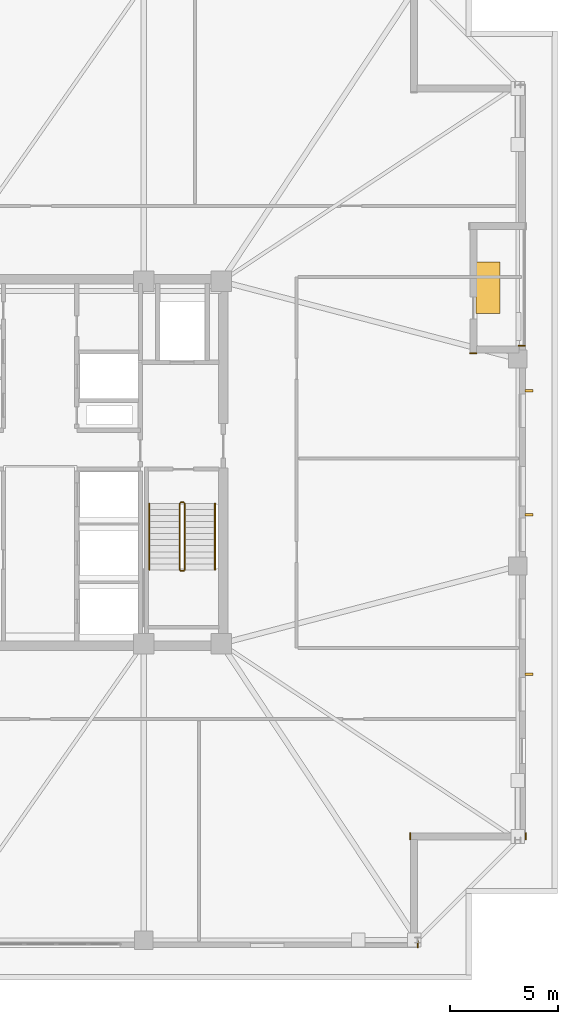
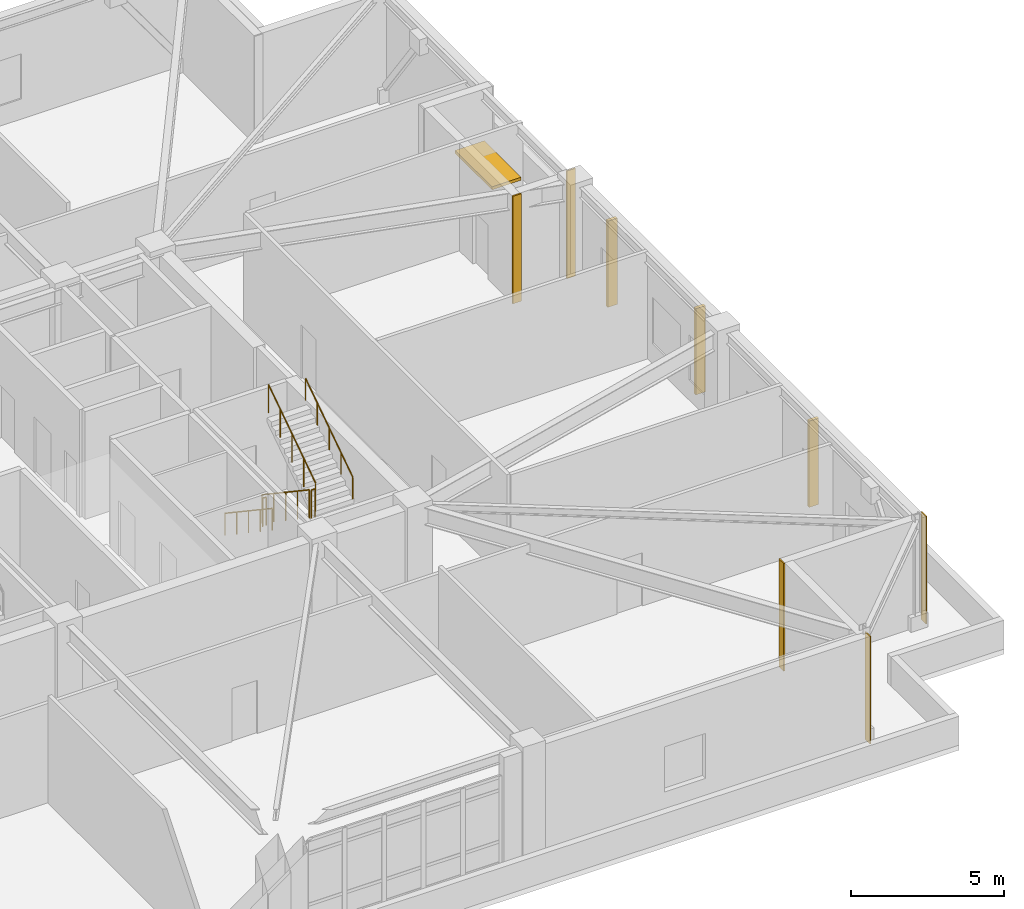
# One storey, part 15 of 18: 6 railings, 5 coverings, 4 shading devices.
"""IFC4 building model written with IfcOpenShell, lengths in metres."""

from ifc_helpers import new_model, si_unit, direction, frame, frame_2d, origin, origin_2d, place, context, subcontext, project, spatial, rectangle, circle, extrude, material, layer, layer_set, type_object, element, save


model = new_model("IFC4")

# Units and contexts
model_context = context("Model", 3, precision=1e-05, world=origin(), true_north=direction((0.0, 1.0)))
body_context = subcontext(model_context, "Body", "Model", "MODEL_VIEW")
ifc_project = project(units=[si_unit("LENGTHUNIT", "METRE"), si_unit("AREAUNIT", "SQUARE_METRE"), si_unit("VOLUMEUNIT", "CUBIC_METRE"), si_unit("PLANEANGLEUNIT", "RADIAN"), si_unit("MASSUNIT", "GRAM", prefix="KILO")], contexts=[model_context])

# Site, building, storey
site_placement = place(None, origin())
site = spatial("IfcSite", under=ifc_project, at=site_placement, CompositionType="ELEMENT")
building_placement = place(site_placement, origin())
building = spatial("IfcBuilding", under=site, at=building_placement, Name="Cairnveth Concourse Tower", CompositionType="ELEMENT")
storey_placement = place(building_placement, frame((0.0, 0.0, 198.0)))
storey = spatial("IfcBuildingStorey", under=building, at=storey_placement, Name="L54", CompositionType="ELEMENT", Elevation=198.0)

# Coverings
ifc_material_1 = material(Name="Dressed Melbourne Bluestone Cladding", Category="masonry")
ifc_layer = layer(ifc_material_1, 0.050048828125)
ifc_layer_set = layer_set([ifc_layer], Name="Dressed Melbourne Bluestone Cladding")
covering_type = type_object("IfcCoveringType", Name="DRESSED BLUESTONE PLINTH CLADDING 50", PredefinedType="CLADDING", material=ifc_layer_set)
for number, where, z_axis, x_axis, name in (
    (1, (74.179931640625, 44.419921875, 0.0), (0.0, 0.0, 1.0), (1.0, 0.0, 0.0), "Melbourne Bluestone Corner Quoin L54-799"),
    (2, (74.52001953125, 21.820068359375, 0.0), (0.0, 0.0, 1.0), (0.0, -1.0, 0.0), "Melbourne Bluestone Corner Quoin L54-800"),
    (3, (69.159912109375, 21.820068359375, 0.0), (0.0, 0.0, 1.0), (0.0, -1.0, 0.0), "Melbourne Bluestone Corner Quoin L54-801"),
    (4, (69.52001953125, 16.820068359375, 0.0), (0.0, 0.0, 1.0), (0.0, -1.0, 0.0), "Melbourne Bluestone Corner Quoin L54-802"),
    (5, (71.929931640625, 44.06005859375, 0.0), (0.0, 0.0, 1.0), (1.0, 0.0, 0.0), "Melbourne Bluestone Corner Quoin L54-814"),
):
    element("IfcCovering", number, at=place(storey_placement, frame(where, z_axis=z_axis, x_axis=x_axis)), inside=storey, type_object=covering_type, Name=name, PredefinedType="CLADDING", context=body_context, shape_type="SweptSolid", body=[
        extrude(rectangle(XDim=0.320068359375, YDim=0.050048828125, at=frame_2d((0.16015625, 0.0))), origin(), (0.0, 0.0, 1.0), 4.2900390625),
    ])

# Shading devices
ifc_material_2 = material(Name="Architectural Bronze Anodised Aluminium 6063-T6", Category="aluminium")
shading_device_type_1 = type_object("IfcShadingDeviceType", Name="GOTHIC BRONZE VERTICAL LANCET FIN", PredefinedType="USERDEFINED", material=ifc_material_2)
for number, where, z_axis, x_axis, name in (
    (6, (74.675048828125, 42.334716796875, 0.030029296875), (0.0, 0.0, 1.0), (0.0, 1.0, 0.0), "Gothic Bronze Vertical Fin L54-0-1"),
    (7, (74.675048828125, 36.583984375, 0.030029296875), (0.0, 0.0, 1.0), (0.0, 1.0, 0.0), "Gothic Bronze Vertical Fin L54-0-3"),
    (8, (74.675048828125, 29.18310546875, 0.030029296875), (0.0, 0.0, 1.0), (0.0, 1.0, 0.0), "Gothic Bronze Vertical Fin L54-0-5"),
):
    element("IfcShadingDevice", number, at=place(storey_placement, frame(where, z_axis=z_axis, x_axis=x_axis)), inside=storey, type_object=shading_device_type_1, Name=name, ObjectType="VERTICAL FIN", PredefinedType="USERDEFINED", context=body_context, shape_type="SweptSolid", body=[
        extrude(rectangle(XDim=0.1201171875, YDim=0.360107421875, at=origin_2d()), origin(), (0.0, 0.0, 1.0), 3.43798828125),
    ])
shading_device_type_2 = type_object("IfcShadingDeviceType", Name="SPIRAL TERRACE SUNSHADE CANOPY", PredefinedType="USERDEFINED", material=ifc_material_2)
shading_device_placement = place(storey_placement, frame((72.77001953125, 47.10009765625, 3.31787109375), z_axis=(0.0, 0.0, 1.0), x_axis=(1.0, 0.0, 0.0)))
element("IfcShadingDevice", 9, at=shading_device_placement, inside=storey, type_object=shading_device_type_2, Name="Spiral Terrace Sunshade L54", ObjectType="TERRACE SUNSHADE", PredefinedType="USERDEFINED", context=body_context, shape_type="SweptSolid", body=[
    extrude(rectangle(XDim=1.10009765625, YDim=2.39990234375, at=origin_2d()), origin(), (0.0, 0.0, 1.0), 0.1201171875),
])

# Railings
ifc_material_3 = material(Name="Steel Grade 350", Category="steel")
railing_type_1 = type_object("IfcRailingType", Name="STAIR GUARDRAIL 1150", PredefinedType="GUARDRAIL", material=ifc_material_3)
railing_1_placement = place(storey_placement, frame((58.469970703125, 37.10009765625, 0.1875)))
element("IfcRailing", 10, at=railing_1_placement, inside=storey, type_object=railing_type_1, Name="L54 ST-2 stair guard 1", PredefinedType="GUARDRAIL", context=body_context, shape_type="SweptSolid", body=[
    extrude(circle(Radius=0.02392578125, at=origin_2d()), frame((0.0, 0.0, 1.1259765625), z_axis=(0.0, -0.830913701846, 0.55640131208), x_axis=(1.0, 0.0, 0.0)), (0.0, 0.0, 1.0), 3.706787109375),
    extrude(circle(Radius=0.02099609375, at=origin_2d()), origin(), (0.0, 0.0, 1.0), 1.101806640625),
    extrude(circle(Radius=0.02099609375, at=origin_2d()), frame((0.0, -0.77001953125, 0.515625)), (0.0, 0.0, 1.0), 1.101806640625),
    extrude(circle(Radius=0.02099609375, at=origin_2d()), frame((0.0, -1.5400390625, 1.03125)), (0.0, 0.0, 1.0), 1.101806640625),
    extrude(circle(Radius=0.02099609375, at=origin_2d()), frame((0.0, -2.31005859375, 1.546875)), (0.0, 0.0, 1.0), 1.101806640625),
    extrude(circle(Radius=0.02099609375, at=origin_2d()), frame((0.0, -3.080078125, 2.0625)), (0.0, 0.0, 1.0), 1.101806640625),
])
railing_2_placement = place(storey_placement, frame((58.52001953125, 33.969970703125, 2.25)))
element("IfcRailing", 11, at=railing_2_placement, inside=storey, type_object=railing_type_1, Name="L54 ST-2 stair guard 2", PredefinedType="GUARDRAIL", context=body_context, shape_type="SweptSolid", body=[
    extrude(circle(Radius=0.02392578125, at=origin_2d()), frame((0.0, 0.0, 1.1259765625), z_axis=(1.0, 0.0, 0.0), x_axis=(0.0, 1.0, 0.0)), (0.0, 0.0, 1.0), 0.139892578125),
    extrude(circle(Radius=0.02099609375, at=origin_2d()), origin(), (0.0, 0.0, 1.0), 1.101806640625),
    extrude(circle(Radius=0.02099609375, at=origin_2d()), frame((0.139892578125, 0.0, 0.0)), (0.0, 0.0, 1.0), 1.101806640625),
])
railing_3_placement = place(storey_placement, frame((58.7099609375, 34.02001953125, 2.4375)))
element("IfcRailing", 12, at=railing_3_placement, inside=storey, type_object=railing_type_1, Name="L54 ST-2 stair guard 3", PredefinedType="GUARDRAIL", context=body_context, shape_type="SweptSolid", body=[
    extrude(circle(Radius=0.02392578125, at=origin_2d()), frame((0.0, 0.0, 1.1259765625), z_axis=(0.0, 0.830913701846, 0.55640131208), x_axis=(-1.0, 0.0, 0.0)), (0.0, 0.0, 1.0), 3.706787109375),
    extrude(circle(Radius=0.02099609375, at=origin_2d()), origin(), (0.0, 0.0, 1.0), 1.101806640625),
    extrude(circle(Radius=0.02099609375, at=origin_2d()), frame((0.0, 0.77001953125, 0.515625)), (0.0, 0.0, 1.0), 1.101806640625),
    extrude(circle(Radius=0.02099609375, at=origin_2d()), frame((0.0, 1.5400390625, 1.03125)), (0.0, 0.0, 1.0), 1.101806640625),
    extrude(circle(Radius=0.02099609375, at=origin_2d()), frame((0.0, 2.31005859375, 1.546875)), (0.0, 0.0, 1.0), 1.101806640625),
    extrude(circle(Radius=0.02099609375, at=origin_2d()), frame((0.0, 3.080078125, 2.0625)), (0.0, 0.0, 1.0), 1.101806640625),
])
railing_4_placement = place(storey_placement, frame((58.52001953125, 37.14990234375, 0.0)))
element("IfcRailing", 13, at=railing_4_placement, inside=storey, type_object=railing_type_1, Name="L54 ST-2 stair guard 4", PredefinedType="GUARDRAIL", context=body_context, shape_type="SweptSolid", body=[
    extrude(circle(Radius=0.02392578125, at=origin_2d()), frame((0.0, 0.0, 1.1259765625), z_axis=(1.0, 0.0, 0.0), x_axis=(0.0, 1.0, 0.0)), (0.0, 0.0, 1.0), 0.139892578125),
    extrude(circle(Radius=0.02099609375, at=origin_2d()), origin(), (0.0, 0.0, 1.0), 1.101806640625),
    extrude(circle(Radius=0.02099609375, at=origin_2d()), frame((0.139892578125, 0.0, 0.0)), (0.0, 0.0, 1.0), 1.101806640625),
])
railing_type_2 = type_object("IfcRailingType", Name="STAIR WALL HANDRAIL 900", PredefinedType="HANDRAIL", material=ifc_material_3)
railing_5_placement = place(storey_placement, frame((57.070068359375, 37.10009765625, 0.1875)))
element("IfcRailing", 14, at=railing_5_placement, inside=storey, type_object=railing_type_2, Name="L54 ST-2 stair handrail 1", PredefinedType="HANDRAIL", context=body_context, shape_type="SweptSolid", body=[
    extrude(circle(Radius=0.02392578125, at=origin_2d()), frame((0.0, 0.0, 0.8759765625), z_axis=(0.0, -0.830913701846, 0.55640131208), x_axis=(1.0, 0.0, 0.0)), (0.0, 0.0, 1.0), 3.706787109375),
    extrude(circle(Radius=0.02099609375, at=origin_2d()), origin(), (0.0, 0.0, 1.0), 0.851806640625),
    extrude(circle(Radius=0.02099609375, at=origin_2d()), frame((0.0, -0.77001953125, 0.515625)), (0.0, 0.0, 1.0), 0.851806640625),
    extrude(circle(Radius=0.02099609375, at=origin_2d()), frame((0.0, -1.5400390625, 1.03125)), (0.0, 0.0, 1.0), 0.851806640625),
    extrude(circle(Radius=0.02099609375, at=origin_2d()), frame((0.0, -2.31005859375, 1.546875)), (0.0, 0.0, 1.0), 0.851806640625),
    extrude(circle(Radius=0.02099609375, at=origin_2d()), frame((0.0, -3.080078125, 2.0625)), (0.0, 0.0, 1.0), 0.851806640625),
])
railing_6_placement = place(storey_placement, frame((60.110107421875, 34.02001953125, 2.4375)))
element("IfcRailing", 15, at=railing_6_placement, inside=storey, type_object=railing_type_2, Name="L54 ST-2 stair handrail 2", PredefinedType="HANDRAIL", context=body_context, shape_type="SweptSolid", body=[
    extrude(circle(Radius=0.02392578125, at=origin_2d()), frame((0.0, 0.0, 0.8759765625), z_axis=(0.0, 0.830913701846, 0.55640131208), x_axis=(-1.0, 0.0, 0.0)), (0.0, 0.0, 1.0), 3.706787109375),
    extrude(circle(Radius=0.02099609375, at=origin_2d()), origin(), (0.0, 0.0, 1.0), 0.851806640625),
    extrude(circle(Radius=0.02099609375, at=origin_2d()), frame((0.0, 0.77001953125, 0.515625)), (0.0, 0.0, 1.0), 0.851806640625),
    extrude(circle(Radius=0.02099609375, at=origin_2d()), frame((0.0, 1.5400390625, 1.03125)), (0.0, 0.0, 1.0), 0.851806640625),
    extrude(circle(Radius=0.02099609375, at=origin_2d()), frame((0.0, 2.31005859375, 1.546875)), (0.0, 0.0, 1.0), 0.851806640625),
    extrude(circle(Radius=0.02099609375, at=origin_2d()), frame((0.0, 3.080078125, 2.0625)), (0.0, 0.0, 1.0), 0.851806640625),
])

save(model, "model.ifc")
